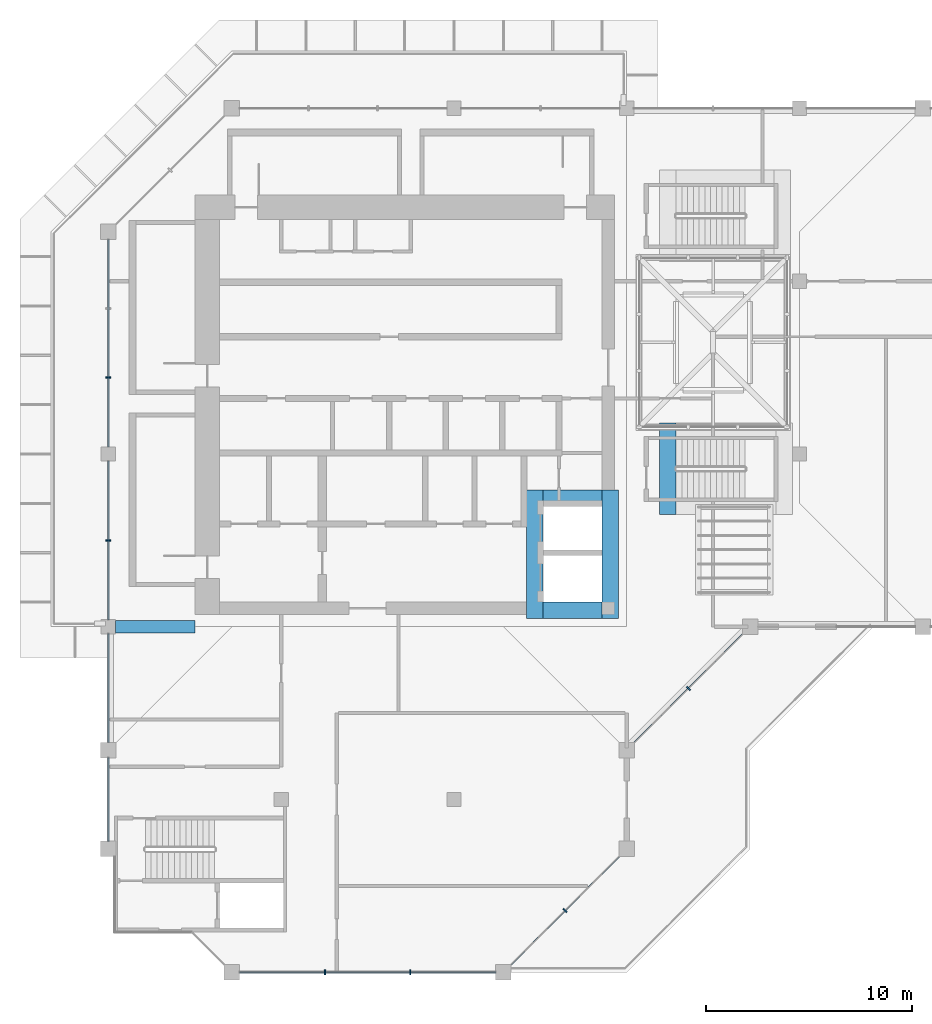
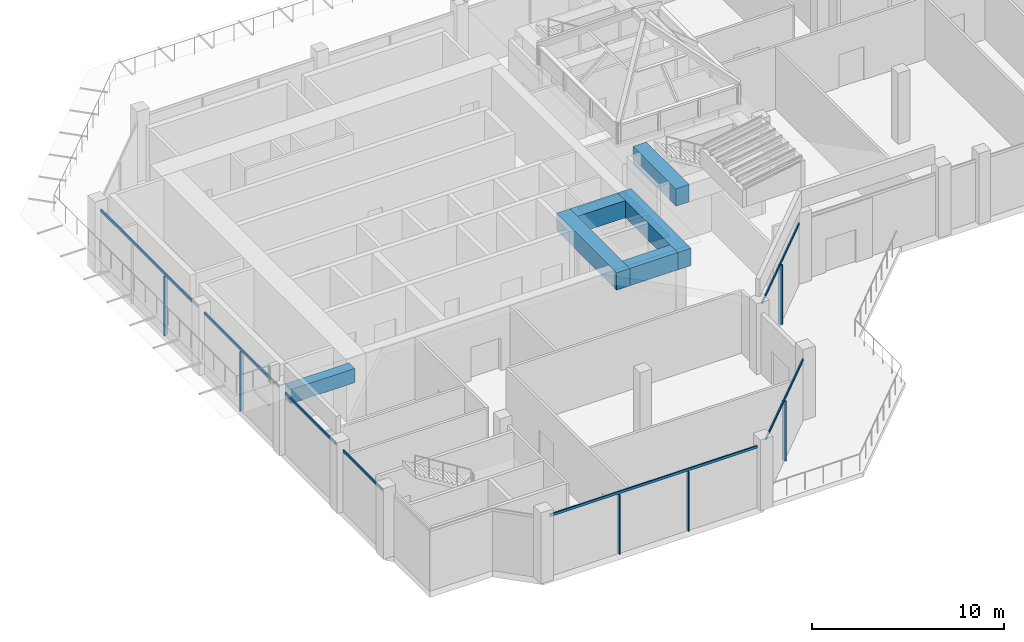
# One storey, part 2 of 15: 13 members, 6 beams, 4 elements without a shape of their own.
"""IFC4 building model written with IfcOpenShell, lengths in metres."""

import ifcopenshell
import ifcopenshell.guid

model = None  # the IFC model being written
_history = None  # IfcOwnerHistory: only IFC2X3 demands one
_inside = {}  # id of a spatial element -> (the spatial element, [elements in it])
_under = {}  # id of a project, library or spatial element -> (it, [spatial elements below it])
_declared = {}  # id of a project -> (the project, [libraries it declares])
_typed = {}  # id of a type object -> (the type object, [elements of that type])
_made_of = {}  # id of a material, layer set ... -> (it, [elements and type objects made of it])


def new_model(schema):
    """Start an empty IFC model of exactly this schema.

    Asked for "IFC4X3", IfcOpenShell would pick the latest addendum, in which some entities
    have other attributes; the version numbers below select the first issue.
    IFC2X3 requires an IfcOwnerHistory on every rooted entity: one is made here for all.
    """
    global model, _history
    if schema == "IFC4X3":
        model = ifcopenshell.file(schema_version=(4, 3, 0, 0))
    else:
        model = ifcopenshell.file(schema=schema)
    _inside.clear()
    _under.clear()
    _declared.clear()
    _typed.clear()
    _made_of.clear()
    _history = None
    if model.schema == "IFC2X3":
        org = make("IfcOrganization", Name="unknown")
        user = make(
            "IfcPersonAndOrganization",
            ThePerson=make("IfcPerson", FamilyName="unknown"),
            TheOrganization=org,
        )
        app = make(
            "IfcApplication",
            ApplicationDeveloper=org,
            Version="unknown",
            ApplicationFullName="unknown",
            ApplicationIdentifier="unknown",
        )
        _history = make(
            "IfcOwnerHistory",
            OwningUser=user,
            OwningApplication=app,
            ChangeAction="ADDED",
            CreationDate=0,
        )
    return model


def make(cls, **values):
    """One entity of the class cls with the attributes given. An attribute that is None is left unset."""
    return model.create_entity(
        cls, **{name: value for name, value in values.items() if value is not None}
    )


def rooted(cls, **values):
    """An entity with a GlobalId (a new one), such as an element, a storey or a relation."""
    return make(cls, GlobalId=ifcopenshell.guid.new(), OwnerHistory=_history, **values)


def si_unit(unit_type, name, prefix=None):
    """IfcSIUnit, for example si_unit("LENGTHUNIT", "METRE", prefix="MILLI")."""
    return make("IfcSIUnit", UnitType=unit_type, Prefix=prefix, Name=name)


def assignment(units):
    """IfcUnitAssignment: the units of a project."""
    return None if units is None else make("IfcUnitAssignment", Units=units)


def point(xyz):
    """IfcCartesianPoint."""
    return None if xyz is None else make("IfcCartesianPoint", Coordinates=xyz)


def direction(xyz):
    """IfcDirection."""
    return None if xyz is None else make("IfcDirection", DirectionRatios=xyz)


def frame(location, z_axis=None, x_axis=None):
    """IfcAxis2Placement3D, a coordinate frame: its origin and axes. An axis left out is left unset."""
    return make(
        "IfcAxis2Placement3D",
        Location=point(location),
        Axis=direction(z_axis),
        RefDirection=direction(x_axis),
    )


def frame_2d(location, x_axis=None):
    """IfcAxis2Placement2D, a coordinate frame in the plane: its origin and x axis."""
    return make(
        "IfcAxis2Placement2D", Location=point(location), RefDirection=direction(x_axis)
    )


def origin():
    """The frame at (0, 0, 0) with its axes left unset."""
    return frame((0.0, 0.0, 0.0))


def origin_2d():
    """The frame at (0, 0) in the plane with its x axis left unset."""
    return frame_2d((0.0, 0.0))


def place(relative_to, where):
    """IfcLocalPlacement: puts the frame where relative to a parent placement (None: the world)."""
    return make(
        "IfcLocalPlacement", PlacementRelTo=relative_to, RelativePlacement=where
    )


def context(
    kind, dimensions, precision=None, world=None, true_north=None, identifier=None
):
    """IfcGeometricRepresentationContext, for example the 3D "Model" context."""
    return make(
        "IfcGeometricRepresentationContext",
        ContextIdentifier=identifier,
        ContextType=kind,
        CoordinateSpaceDimension=dimensions,
        Precision=precision,
        WorldCoordinateSystem=world,
        TrueNorth=true_north,
    )


def subcontext(parent, identifier, kind, view, scale=None):
    """IfcGeometricRepresentationSubContext, for example "Body" below "Model"."""
    return make(
        "IfcGeometricRepresentationSubContext",
        ContextIdentifier=identifier,
        ContextType=kind,
        ParentContext=parent,
        TargetScale=scale,
        TargetView=view,
    )


def project(units=None, contexts=None):
    """IfcProject with its units and contexts."""
    return rooted(
        "IfcProject",
        Name="project",
        RepresentationContexts=contexts,
        UnitsInContext=assignment(units),
    )


def spatial(cls, under=None, at=None, **own):
    """A site, building, storey or space (cls), placed at a placement, below another one or the project."""
    s = rooted(cls, ObjectPlacement=at, **own)
    if under is not None:
        _under.setdefault(under.id(), (under, []))[1].append(s)
    return s


def profile(cls, at=None, kind="AREA", **sizes):
    """A parametric profile (cls). Its sizes go by their IFC names, for example OverallWidth=200.0."""
    return make(cls, ProfileType=kind, Position=at, **sizes)


def rectangle(**sizes):
    """IfcRectangleProfileDef."""
    return profile("IfcRectangleProfileDef", **sizes)


def extrude(swept, where, along, depth):
    """IfcExtrudedAreaSolid: the profile swept, set in the frame where, extruded along a direction by depth."""
    return make(
        "IfcExtrudedAreaSolid",
        SweptArea=swept,
        Position=where,
        ExtrudedDirection=direction(along),
        Depth=depth,
    )


def shape(context_of_items, identifier, shape_type, items):
    """IfcShapeRepresentation: the items that make up one representation, for example the "Body"."""
    return make(
        "IfcShapeRepresentation",
        ContextOfItems=context_of_items,
        RepresentationIdentifier=identifier,
        RepresentationType=shape_type,
        Items=items,
    )


def material(Name=None, Category=None):
    """IfcMaterial."""
    return make("IfcMaterial", Name=Name, Category=Category)


def layer(
    of_material, thickness, ventilated=None, Name=None, Category=None, Priority=None
):
    """IfcMaterialLayer: one layer of a wall or slab, of a material (None: an air gap)."""
    return make(
        "IfcMaterialLayer",
        Material=of_material,
        LayerThickness=thickness,
        IsVentilated=ventilated,
        Name=Name,
        Category=Category,
        Priority=Priority,
    )


def layer_set(layers, Name=None):
    """IfcMaterialLayerSet."""
    return make("IfcMaterialLayerSet", MaterialLayers=layers, LayerSetName=Name)


def material_profile(
    of_material, cross_section, Name=None, Category=None, Priority=None
):
    """IfcMaterialProfile: a cross section and its material."""
    return make(
        "IfcMaterialProfile",
        Name=Name,
        Material=of_material,
        Profile=cross_section,
        Priority=Priority,
        Category=Category,
    )


def profile_set(profiles, Name=None, composite=None):
    """IfcMaterialProfileSet."""
    return make(
        "IfcMaterialProfileSet",
        Name=Name,
        MaterialProfiles=profiles,
        CompositeProfile=composite,
    )


def made_of(thing, what):
    """Note that an element or type object is made of a material, layer set ...; save() writes the relation."""
    if what is not None:
        _made_of.setdefault(what.id(), (what, []))[1].append(thing)
    return thing


def type_object(cls, material=None, **own):
    """A type object (cls), such as IfcWallType, which elements share."""
    return made_of(rooted(cls, **own), material)


def element(
    cls,
    number,
    at=None,
    inside=None,
    cuts=None,
    type_object=None,
    material=None,
    context=None,
    identifier="Body",
    shape_type=None,
    held_by="IfcProductDefinitionShape",
    body=None,
    shapes=None,
    **own,
):
    """One element of the class cls, such as IfcWall. Its Tag is "e" and its number.

    at: its placement. inside: the storey or other place that contains it. cuts: it is an
    opening in that element (IfcRelVoidsElement). A single representation is given by context,
    identifier, shape_type and body (its items); several are given by shapes. held_by: the class
    of the entity that holds the representations. save() writes the other relations.
    """
    e = rooted(cls, Tag="e%d" % number, ObjectPlacement=at, **own)
    if body is not None:
        shapes = [shape(context, identifier, shape_type, body)]
    if shapes is not None:
        e.Representation = make(held_by, Representations=shapes)
    if inside is not None:
        _inside.setdefault(inside.id(), (inside, []))[1].append(e)
    if cuts is not None:
        rooted(
            "IfcRelVoidsElement", RelatingBuildingElement=cuts, RelatedOpeningElement=e
        )
    if type_object is not None:
        _typed.setdefault(type_object.id(), (type_object, []))[1].append(e)
    return made_of(e, material)


def aggregate(whole, parts):
    """IfcRelAggregates: a whole, such as a stair, and the parts it consists of."""
    return rooted("IfcRelAggregates", RelatingObject=whole, RelatedObjects=parts)


def save(model, path):
    """Write the relations noted so far, then the file.

    IfcRelAggregates (storeys below a building ...), IfcRelContainedInSpatialStructure (elements
    in a storey), IfcRelDefinesByType, IfcRelAssociatesMaterial and IfcRelDeclares: one each for
    every whole, place, type object, material and project.
    """
    for whole, parts in _under.values():
        aggregate(whole, parts)
    for where, things in _inside.values():
        rooted(
            "IfcRelContainedInSpatialStructure",
            RelatedElements=things,
            RelatingStructure=where,
        )
    for kind, things in _typed.values():
        rooted("IfcRelDefinesByType", RelatedObjects=things, RelatingType=kind)
    for what, things in _made_of.values():
        rooted("IfcRelAssociatesMaterial", RelatedObjects=things, RelatingMaterial=what)
    for by, libraries in _declared.values():
        rooted("IfcRelDeclares", RelatingContext=by, RelatedDefinitions=libraries)
    model.write(path)


model = new_model("IFC4")

# Units and contexts
model_context = context("Model", 3, precision=1e-05, world=origin(), true_north=direction((0.0, 1.0)))
body_context = subcontext(model_context, "Body", "Model", "MODEL_VIEW")
ifc_project = project(units=[si_unit("LENGTHUNIT", "METRE"), si_unit("AREAUNIT", "SQUARE_METRE"), si_unit("VOLUMEUNIT", "CUBIC_METRE"), si_unit("PLANEANGLEUNIT", "RADIAN"), si_unit("MASSUNIT", "GRAM", prefix="KILO")], contexts=[model_context])

# Site, building, storey
site_placement = place(None, origin())
site = spatial("IfcSite", under=ifc_project, at=site_placement, CompositionType="ELEMENT")
building_placement = place(site_placement, origin())
building = spatial("IfcBuilding", under=site, at=building_placement, Name="Kawkab Arch Medical Tower", CompositionType="ELEMENT")
storey_placement = place(building_placement, frame((0.0, 0.0, 332.199951171875)))
storey = spatial("IfcBuildingStorey", under=building, at=storey_placement, Name="L77", CompositionType="ELEMENT", Elevation=332.199951171875)

# Curtain wall, members
ifc_material_1 = material(Name="Bronze anodised aluminium curtain wall frame", Category="aluminium")
ifc_layer = layer(ifc_material_1, 0.159912109375)
ifc_layer_set = layer_set([ifc_layer], Name="Bronze anodised aluminium curtain wall frame")
curtain_wall_type = type_object("IfcCurtainWallType", Name="CW6 helipad lobby and crown glazing", PredefinedType="NOTDEFINED", material=ifc_layer_set)
placement = place(storey_placement, origin())
curtain_wall_1 = element("IfcCurtainWall", 1, at=placement, inside=storey, type_object=curtain_wall_type, Name="CW6 Helipad lobby and crown glazing R02", PredefinedType="NOTDEFINED")
ifc_material_2 = material(Name="Bronze anodised aluminium curtain wall frame", Category="aluminium")
ifc_material_profile_1 = material_profile(ifc_material_2, rectangle(XDim=0.239990234375, YDim=0.070068359375, at=origin_2d()), Name="AL 70x240")
ifc_profile_set_1 = profile_set([ifc_material_profile_1], Name="Bronze anodised aluminium curtain wall frame")
member_type_1 = type_object("IfcMemberType", Name="CW6 mullion 70 x 240", PredefinedType="MULLION", material=ifc_profile_set_1)
member_1_placement = place(storey_placement, frame((0.0, -13.091552734375, 0.0), z_axis=(0.0, 0.0, 1.0), x_axis=(1.0, 0.0, 0.0)))
member_1 = element("IfcMember", 2, at=member_1_placement, type_object=member_type_1, Name="CW6 mullion 1.2", PredefinedType="MULLION", context=body_context, shape_type="SweptSolid", body=[
    extrude(rectangle(XDim=0.239990234375, YDim=0.070068359375, at=origin_2d()), origin(), (0.0, 0.0, 1.0), 3.7900390625),
])
member_2_placement = place(storey_placement, frame((0.0, -21.0, 0.0), z_axis=(0.0, 0.0, 1.0), x_axis=(1.0, 0.0, 0.0)))
member_2 = element("IfcMember", 3, at=member_2_placement, type_object=member_type_1, Name="CW6 mullion 2.1", PredefinedType="MULLION", context=body_context, shape_type="SweptSolid", body=[
    extrude(rectangle(XDim=0.239990234375, YDim=0.070068359375, at=origin_2d()), origin(), (0.0, 0.0, 1.0), 3.7900390625),
])

curtain_wall_2 = element("IfcCurtainWall", 4, at=placement, inside=storey, type_object=curtain_wall_type, Name="CW6 Helipad lobby and crown glazing R07", PredefinedType="NOTDEFINED")
member_3_placement = place(storey_placement, frame((10.52490234375, -42.0, 0.0), z_axis=(0.0, 0.0, 1.0), x_axis=(0.0, 1.0, 0.0)))
member_3 = element("IfcMember", 5, at=member_3_placement, type_object=member_type_1, Name="CW6 mullion 1.1", PredefinedType="MULLION", context=body_context, shape_type="SweptSolid", body=[
    extrude(rectangle(XDim=0.239990234375, YDim=0.070068359375, at=origin_2d()), origin(), (0.0, 0.0, 1.0), 3.7900390625),
])
member_4_placement = place(storey_placement, frame((14.675048828125, -42.0, 0.0), z_axis=(0.0, 0.0, 1.0), x_axis=(0.0, 1.0, 0.0)))
member_4 = element("IfcMember", 6, at=member_4_placement, type_object=member_type_1, Name="CW6 mullion 1.2", PredefinedType="MULLION", context=body_context, shape_type="SweptSolid", body=[
    extrude(rectangle(XDim=0.239990234375, YDim=0.070068359375, at=origin_2d()), origin(), (0.0, 0.0, 1.0), 3.7900390625),
])

# Curtain wall, member
curtain_wall_3 = element("IfcCurtainWall", 7, at=placement, inside=storey, type_object=curtain_wall_type, Name="CW6 Helipad lobby and crown glazing R08", PredefinedType="NOTDEFINED")
member_5_placement = place(storey_placement, frame((22.199951171875, -39.0, 0.0), z_axis=(0.0, 0.0, 1.0), x_axis=(-0.707106781187, 0.707106781187, 0.0)))
member_5 = element("IfcMember", 8, at=member_5_placement, type_object=member_type_1, Name="CW6 mullion 1.1", PredefinedType="MULLION", context=body_context, shape_type="SweptSolid", body=[
    extrude(rectangle(XDim=0.239990234375, YDim=0.070068359375, at=origin_2d()), origin(), (0.0, 0.0, 1.0), 3.7900390625),
])

curtain_wall_4 = element("IfcCurtainWall", 9, at=placement, inside=storey, type_object=curtain_wall_type, Name="CW6 Helipad lobby and crown glazing R10", PredefinedType="NOTDEFINED")
member_6_placement = place(storey_placement, frame((28.199951171875, -28.199951171875, 0.0), z_axis=(0.0, 0.0, 1.0), x_axis=(-0.707106781187, 0.707106781187, 0.0)))
member_6 = element("IfcMember", 10, at=member_6_placement, type_object=member_type_1, Name="CW6 mullion 1.1", PredefinedType="MULLION", context=body_context, shape_type="SweptSolid", body=[
    extrude(rectangle(XDim=0.239990234375, YDim=0.070068359375, at=origin_2d()), origin(), (0.0, 0.0, 1.0), 3.7900390625),
])

# Member
ifc_material_3 = material(Name="Bronze anodised aluminium curtain wall frame", Category="aluminium")
ifc_material_profile_2 = material_profile(ifc_material_3, rectangle(XDim=0.070068359375, YDim=0.159912109375, at=origin_2d()), Name="AL 70x160")
ifc_profile_set_2 = profile_set([ifc_material_profile_2], Name="Bronze anodised aluminium curtain wall frame")
member_type_2 = type_object("IfcMemberType", Name="CW6 transom 160 x 70", PredefinedType="USERDEFINED", material=ifc_profile_set_2)
member_7_placement = place(storey_placement, frame((0.0, -6.375, 3.8701171875), z_axis=(0.0, -1.0, 0.0), x_axis=(1.0, 0.0, 0.0)))
member_7 = element("IfcMember", 11, at=member_7_placement, type_object=member_type_2, Name="CW6 transom 1", ObjectType="TRANSOM", PredefinedType="USERDEFINED", context=body_context, shape_type="SweptSolid", body=[
    extrude(rectangle(XDim=0.070068359375, YDim=0.159912109375, at=origin_2d()), origin(), (0.0, 0.0, 1.0), 10.074951171875),
])

member_8_placement = place(storey_placement, frame((0.0, -17.14990234375, 3.8701171875), z_axis=(0.0, -1.0, 0.0), x_axis=(1.0, 0.0, 0.0)))
member_8 = element("IfcMember", 12, at=member_8_placement, type_object=member_type_2, Name="CW6 transom 2", ObjectType="TRANSOM", PredefinedType="USERDEFINED", context=body_context, shape_type="SweptSolid", body=[
    extrude(rectangle(XDim=0.070068359375, YDim=0.159912109375, at=origin_2d()), origin(), (0.0, 0.0, 1.0), 7.7001953125),
])

member_9_placement = place(storey_placement, frame((0.0, -25.550048828125, 3.8701171875), z_axis=(0.0, -1.0, 0.0), x_axis=(1.0, 0.0, 0.0)))
member_9 = element("IfcMember", 13, at=member_9_placement, type_object=member_type_2, Name="CW6 transom 3", ObjectType="TRANSOM", PredefinedType="USERDEFINED", context=body_context, shape_type="SweptSolid", body=[
    extrude(rectangle(XDim=0.070068359375, YDim=0.159912109375, at=origin_2d()), origin(), (0.0, 0.0, 1.0), 5.27490234375),
])

member_10_placement = place(storey_placement, frame((0.0, -31.574951171875, 3.8701171875), z_axis=(0.0, -1.0, 0.0), x_axis=(1.0, 0.0, 0.0)))
member_10 = element("IfcMember", 14, at=member_10_placement, type_object=member_type_2, Name="CW6 transom 4", ObjectType="TRANSOM", PredefinedType="USERDEFINED", context=body_context, shape_type="SweptSolid", body=[
    extrude(rectangle(XDim=0.070068359375, YDim=0.159912109375, at=origin_2d()), origin(), (0.0, 0.0, 1.0), 4.050048828125),
])

aggregate(curtain_wall_1, [member_7, member_1, member_8, member_2, member_9, member_10])

member_11_placement = place(storey_placement, frame((6.375, -42.0, 3.8701171875), z_axis=(1.0, 0.0, 0.0), x_axis=(0.0, 1.0, 0.0)))
member_11 = element("IfcMember", 15, at=member_11_placement, type_object=member_type_2, Name="CW6 transom 1", ObjectType="TRANSOM", PredefinedType="USERDEFINED", context=body_context, shape_type="SweptSolid", body=[
    extrude(rectangle(XDim=0.070068359375, YDim=0.159912109375, at=origin_2d()), origin(), (0.0, 0.0, 1.0), 12.449951171875),
])

aggregate(curtain_wall_2, [member_11, member_3, member_4])

member_12_placement = place(storey_placement, frame((19.574951171875, -41.625, 3.8701171875), z_axis=(0.707106781187, 0.707106781187, 0.0), x_axis=(-0.707106781187, 0.707106781187, 0.0)))
member_12 = element("IfcMember", 16, at=member_12_placement, type_object=member_type_2, Name="CW6 transom 1", ObjectType="TRANSOM", PredefinedType="USERDEFINED", context=body_context, shape_type="SweptSolid", body=[
    extrude(rectangle(XDim=0.070068359375, YDim=0.159912109375, at=origin_2d()), origin(), (0.0, 0.0, 1.0), 7.424560546875),
])

aggregate(curtain_wall_3, [member_12, member_5])

member_13_placement = place(storey_placement, frame((25.574951171875, -30.824951171875, 3.8701171875), z_axis=(0.707106781187, 0.707106781187, 0.0), x_axis=(-0.707106781187, 0.707106781187, 0.0)))
member_13 = element("IfcMember", 17, at=member_13_placement, type_object=member_type_2, Name="CW6 transom 1", ObjectType="TRANSOM", PredefinedType="USERDEFINED", context=body_context, shape_type="SweptSolid", body=[
    extrude(rectangle(XDim=0.070068359375, YDim=0.159912109375, at=origin_2d()), origin(), (0.0, 0.0, 1.0), 7.424560546875),
])

aggregate(curtain_wall_4, [member_13, member_6])

# Beams
ifc_material_4 = material(Name="Concrete C40/50", Category="concrete")
ifc_material_profile_3 = material_profile(ifc_material_4, rectangle(XDim=0.60009765625, YDim=0.89990234375, at=origin_2d()), Name="RC 600x900")
ifc_profile_set_3 = profile_set([ifc_material_profile_3], Name="Concrete C40/50")
beam_type_1 = type_object("IfcBeamType", Name="RC 600x900 beam C40/50", PredefinedType="BEAM", material=ifc_profile_set_3)
beam_1_placement = place(storey_placement, frame((0.35009765625, -25.199951171875, 3.5), z_axis=(1.0, 0.0, 0.0), x_axis=(0.0, 1.0, 0.0)))
element("IfcBeam", 18, at=beam_1_placement, inside=storey, type_object=beam_type_1, Name="Wing roof edge beam 01", PredefinedType="BEAM", context=body_context, shape_type="SweptSolid", body=[
    extrude(rectangle(XDim=0.60009765625, YDim=0.89990234375, at=origin_2d()), origin(), (0.0, 0.0, 1.0), 3.849853515625),
])
ifc_material_5 = material(Name="Concrete C40/50", Category="concrete")
ifc_material_profile_4 = material_profile(ifc_material_5, rectangle(XDim=0.800048828125, YDim=1.10009765625, at=origin_2d()), Name="RC 800x1100")
ifc_profile_set_4 = profile_set([ifc_material_profile_4], Name="Concrete C40/50")
beam_type_2 = type_object("IfcBeamType", Name="RC 800x1100 beam C40/50", PredefinedType="BEAM", material=ifc_profile_set_4)
for number, where, z_axis, x_axis, name in (
    (19, (20.72509765625, -24.800048828125, 3.400146484375), (0.0, 1.0, 0.0), (-1.0, 0.0, 0.0), "Deck trimmer beam 01W"),
    (20, (24.39990234375, -24.800048828125, 3.400146484375), (0.0, 1.0, 0.0), (-1.0, 0.0, 0.0), "Deck trimmer beam 01E"),
):
    element("IfcBeam", number, at=place(storey_placement, frame(where, z_axis=z_axis, x_axis=x_axis)), inside=storey, type_object=beam_type_2, Name=name, PredefinedType="BEAM", context=body_context, shape_type="SweptSolid", body=[
        extrude(rectangle(XDim=0.800048828125, YDim=1.10009765625, at=origin_2d()), origin(), (0.0, 0.0, 1.0), 6.25),
    ])
for number, where, z_axis, x_axis, name in (
    (21, (21.125, -24.39990234375, 3.400146484375), (1.0, 0.0, 0.0), (0.0, 1.0, 0.0), "Deck trimmer beam 01S"),
    (22, (21.125, -18.949951171875, 3.400146484375), (1.0, 0.0, 0.0), (0.0, 1.0, 0.0), "Deck trimmer beam 01N"),
):
    element("IfcBeam", number, at=place(storey_placement, frame(where, z_axis=z_axis, x_axis=x_axis)), inside=storey, type_object=beam_type_2, Name=name, PredefinedType="BEAM", context=body_context, shape_type="SweptSolid", body=[
        extrude(rectangle(XDim=0.800048828125, YDim=1.10009765625, at=origin_2d()), origin(), (0.0, 0.0, 1.0), 2.875),
    ])
beam_2_placement = place(storey_placement, frame((27.199951171875, -19.75, 3.400146484375), z_axis=(0.0, 1.0, 0.0), x_axis=(-1.0, 0.0, 0.0)))
element("IfcBeam", 23, at=beam_2_placement, inside=storey, type_object=beam_type_2, Name="Deck trimmer beam 02W", PredefinedType="BEAM", context=body_context, shape_type="SweptSolid", body=[
    extrude(rectangle(XDim=0.800048828125, YDim=1.10009765625, at=origin_2d()), origin(), (0.0, 0.0, 1.0), 4.449951171875),
])

save(model, "model.ifc")
